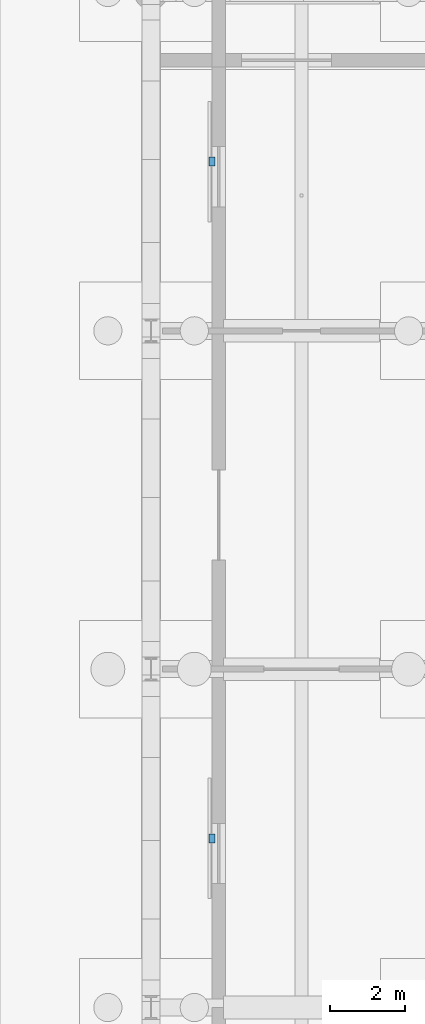
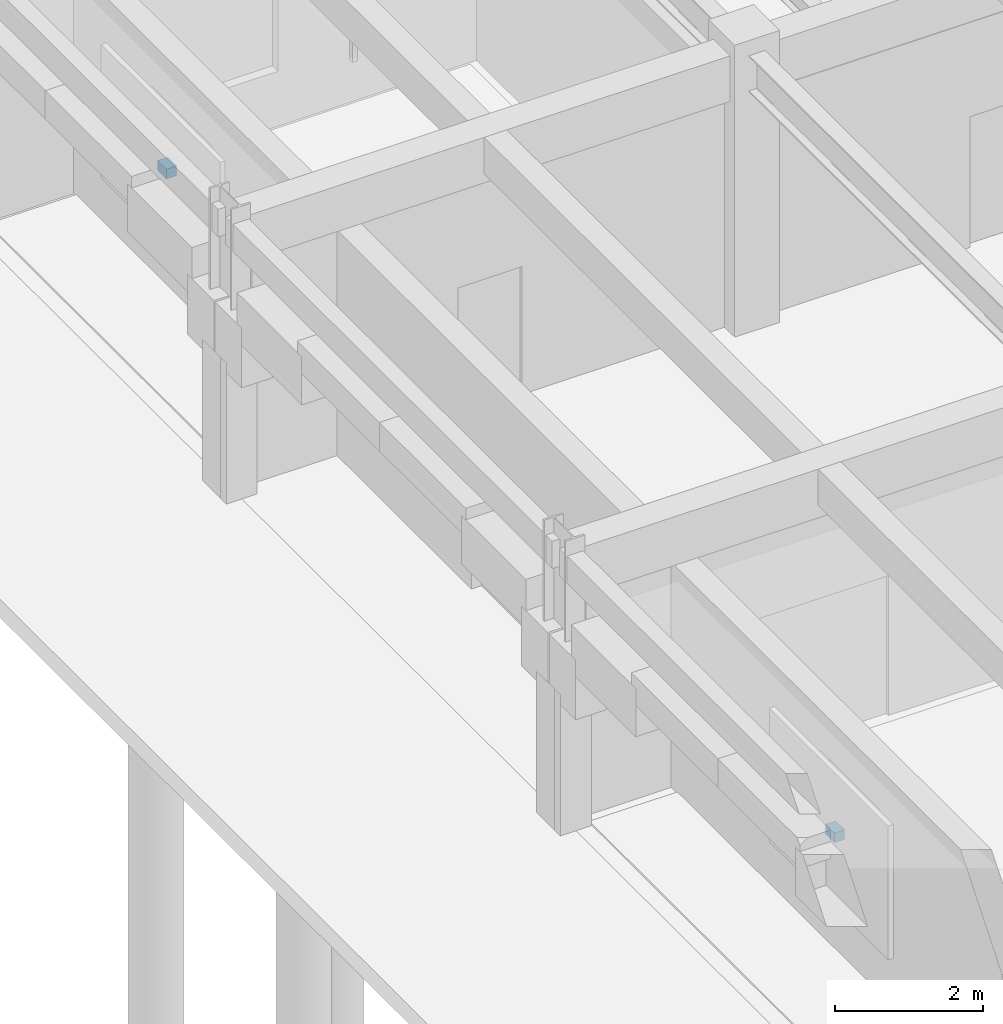
# One storey, part 130 of 147: 2 discrete accessories.
"""IFC4 building model written with IfcOpenShell, lengths in metres."""

import ifcopenshell
import ifcopenshell.guid

model = None  # the IFC model being written
_history = None  # IfcOwnerHistory: only IFC2X3 demands one
_inside = {}  # id of a spatial element -> (the spatial element, [elements in it])
_under = {}  # id of a project, library or spatial element -> (it, [spatial elements below it])
_declared = {}  # id of a project -> (the project, [libraries it declares])
_typed = {}  # id of a type object -> (the type object, [elements of that type])
_made_of = {}  # id of a material, layer set ... -> (it, [elements and type objects made of it])


def new_model(schema):
    """Start an empty IFC model of exactly this schema.

    Asked for "IFC4X3", IfcOpenShell would pick the latest addendum, in which some entities
    have other attributes; the version numbers below select the first issue.
    IFC2X3 requires an IfcOwnerHistory on every rooted entity: one is made here for all.
    """
    global model, _history
    if schema == "IFC4X3":
        model = ifcopenshell.file(schema_version=(4, 3, 0, 0))
    else:
        model = ifcopenshell.file(schema=schema)
    _inside.clear()
    _under.clear()
    _declared.clear()
    _typed.clear()
    _made_of.clear()
    _history = None
    if model.schema == "IFC2X3":
        org = make("IfcOrganization", Name="unknown")
        user = make(
            "IfcPersonAndOrganization",
            ThePerson=make("IfcPerson", FamilyName="unknown"),
            TheOrganization=org,
        )
        app = make(
            "IfcApplication",
            ApplicationDeveloper=org,
            Version="unknown",
            ApplicationFullName="unknown",
            ApplicationIdentifier="unknown",
        )
        _history = make(
            "IfcOwnerHistory",
            OwningUser=user,
            OwningApplication=app,
            ChangeAction="ADDED",
            CreationDate=0,
        )
    return model


def make(cls, **values):
    """One entity of the class cls with the attributes given. An attribute that is None is left unset."""
    return model.create_entity(
        cls, **{name: value for name, value in values.items() if value is not None}
    )


def rooted(cls, **values):
    """An entity with a GlobalId (a new one), such as an element, a storey or a relation."""
    return make(cls, GlobalId=ifcopenshell.guid.new(), OwnerHistory=_history, **values)


def si_unit(unit_type, name, prefix=None):
    """IfcSIUnit, for example si_unit("LENGTHUNIT", "METRE", prefix="MILLI")."""
    return make("IfcSIUnit", UnitType=unit_type, Prefix=prefix, Name=name)


def assignment(units):
    """IfcUnitAssignment: the units of a project."""
    return None if units is None else make("IfcUnitAssignment", Units=units)


def point(xyz):
    """IfcCartesianPoint."""
    return None if xyz is None else make("IfcCartesianPoint", Coordinates=xyz)


def direction(xyz):
    """IfcDirection."""
    return None if xyz is None else make("IfcDirection", DirectionRatios=xyz)


def frame(location, z_axis=None, x_axis=None):
    """IfcAxis2Placement3D, a coordinate frame: its origin and axes. An axis left out is left unset."""
    return make(
        "IfcAxis2Placement3D",
        Location=point(location),
        Axis=direction(z_axis),
        RefDirection=direction(x_axis),
    )


def frame_2d(location, x_axis=None):
    """IfcAxis2Placement2D, a coordinate frame in the plane: its origin and x axis."""
    return make(
        "IfcAxis2Placement2D", Location=point(location), RefDirection=direction(x_axis)
    )


def origin():
    """The frame at (0, 0, 0) with its axes left unset."""
    return frame((0.0, 0.0, 0.0))


def origin_2d():
    """The frame at (0, 0) in the plane with its x axis left unset."""
    return frame_2d((0.0, 0.0))


def place(relative_to, where):
    """IfcLocalPlacement: puts the frame where relative to a parent placement (None: the world)."""
    return make(
        "IfcLocalPlacement", PlacementRelTo=relative_to, RelativePlacement=where
    )


def context(
    kind, dimensions, precision=None, world=None, true_north=None, identifier=None
):
    """IfcGeometricRepresentationContext, for example the 3D "Model" context."""
    return make(
        "IfcGeometricRepresentationContext",
        ContextIdentifier=identifier,
        ContextType=kind,
        CoordinateSpaceDimension=dimensions,
        Precision=precision,
        WorldCoordinateSystem=world,
        TrueNorth=true_north,
    )


def subcontext(parent, identifier, kind, view, scale=None):
    """IfcGeometricRepresentationSubContext, for example "Body" below "Model"."""
    return make(
        "IfcGeometricRepresentationSubContext",
        ContextIdentifier=identifier,
        ContextType=kind,
        ParentContext=parent,
        TargetScale=scale,
        TargetView=view,
    )


def project(units=None, contexts=None):
    """IfcProject with its units and contexts."""
    return rooted(
        "IfcProject",
        Name="project",
        RepresentationContexts=contexts,
        UnitsInContext=assignment(units),
    )


def spatial(cls, under=None, at=None, **own):
    """A site, building, storey or space (cls), placed at a placement, below another one or the project."""
    s = rooted(cls, ObjectPlacement=at, **own)
    if under is not None:
        _under.setdefault(under.id(), (under, []))[1].append(s)
    return s


def profile(cls, at=None, kind="AREA", **sizes):
    """A parametric profile (cls). Its sizes go by their IFC names, for example OverallWidth=200.0."""
    return make(cls, ProfileType=kind, Position=at, **sizes)


def rectangle(**sizes):
    """IfcRectangleProfileDef."""
    return profile("IfcRectangleProfileDef", **sizes)


def extrude(swept, where, along, depth):
    """IfcExtrudedAreaSolid: the profile swept, set in the frame where, extruded along a direction by depth."""
    return make(
        "IfcExtrudedAreaSolid",
        SweptArea=swept,
        Position=where,
        ExtrudedDirection=direction(along),
        Depth=depth,
    )


def shape(context_of_items, identifier, shape_type, items):
    """IfcShapeRepresentation: the items that make up one representation, for example the "Body"."""
    return make(
        "IfcShapeRepresentation",
        ContextOfItems=context_of_items,
        RepresentationIdentifier=identifier,
        RepresentationType=shape_type,
        Items=items,
    )


def material(Name=None, Category=None):
    """IfcMaterial."""
    return make("IfcMaterial", Name=Name, Category=Category)


def layer(
    of_material, thickness, ventilated=None, Name=None, Category=None, Priority=None
):
    """IfcMaterialLayer: one layer of a wall or slab, of a material (None: an air gap)."""
    return make(
        "IfcMaterialLayer",
        Material=of_material,
        LayerThickness=thickness,
        IsVentilated=ventilated,
        Name=Name,
        Category=Category,
        Priority=Priority,
    )


def layer_set(layers, Name=None):
    """IfcMaterialLayerSet."""
    return make("IfcMaterialLayerSet", MaterialLayers=layers, LayerSetName=Name)


def made_of(thing, what):
    """Note that an element or type object is made of a material, layer set ...; save() writes the relation."""
    if what is not None:
        _made_of.setdefault(what.id(), (what, []))[1].append(thing)
    return thing


def type_object(cls, material=None, **own):
    """A type object (cls), such as IfcWallType, which elements share."""
    return made_of(rooted(cls, **own), material)


def element(
    cls,
    number,
    at=None,
    inside=None,
    cuts=None,
    type_object=None,
    material=None,
    context=None,
    identifier="Body",
    shape_type=None,
    held_by="IfcProductDefinitionShape",
    body=None,
    shapes=None,
    **own,
):
    """One element of the class cls, such as IfcWall. Its Tag is "e" and its number.

    at: its placement. inside: the storey or other place that contains it. cuts: it is an
    opening in that element (IfcRelVoidsElement). A single representation is given by context,
    identifier, shape_type and body (its items); several are given by shapes. held_by: the class
    of the entity that holds the representations. save() writes the other relations.
    """
    e = rooted(cls, Tag="e%d" % number, ObjectPlacement=at, **own)
    if body is not None:
        shapes = [shape(context, identifier, shape_type, body)]
    if shapes is not None:
        e.Representation = make(held_by, Representations=shapes)
    if inside is not None:
        _inside.setdefault(inside.id(), (inside, []))[1].append(e)
    if cuts is not None:
        rooted(
            "IfcRelVoidsElement", RelatingBuildingElement=cuts, RelatedOpeningElement=e
        )
    if type_object is not None:
        _typed.setdefault(type_object.id(), (type_object, []))[1].append(e)
    return made_of(e, material)


def aggregate(whole, parts):
    """IfcRelAggregates: a whole, such as a stair, and the parts it consists of."""
    return rooted("IfcRelAggregates", RelatingObject=whole, RelatedObjects=parts)


def save(model, path):
    """Write the relations noted so far, then the file.

    IfcRelAggregates (storeys below a building ...), IfcRelContainedInSpatialStructure (elements
    in a storey), IfcRelDefinesByType, IfcRelAssociatesMaterial and IfcRelDeclares: one each for
    every whole, place, type object, material and project.
    """
    for whole, parts in _under.values():
        aggregate(whole, parts)
    for where, things in _inside.values():
        rooted(
            "IfcRelContainedInSpatialStructure",
            RelatedElements=things,
            RelatingStructure=where,
        )
    for kind, things in _typed.values():
        rooted("IfcRelDefinesByType", RelatedObjects=things, RelatingType=kind)
    for what, things in _made_of.values():
        rooted("IfcRelAssociatesMaterial", RelatedObjects=things, RelatingMaterial=what)
    for by, libraries in _declared.values():
        rooted("IfcRelDeclares", RelatingContext=by, RelatedDefinitions=libraries)
    model.write(path)


model = new_model("IFC4")

# Units and contexts
model_context = context("Model", 3, precision=1e-05, world=origin(), true_north=direction((0.0, 1.0)))
body_context = subcontext(model_context, "Body", "Model", "MODEL_VIEW")
ifc_project = project(units=[si_unit("LENGTHUNIT", "METRE"), si_unit("AREAUNIT", "SQUARE_METRE"), si_unit("VOLUMEUNIT", "CUBIC_METRE"), si_unit("PLANEANGLEUNIT", "RADIAN"), si_unit("MASSUNIT", "GRAM", prefix="KILO")], contexts=[model_context])

# Site, building, storey
site_placement = place(None, origin())
site = spatial("IfcSite", under=ifc_project, at=site_placement, CompositionType="ELEMENT")
building_placement = place(site_placement, origin())
building = spatial("IfcBuilding", under=site, at=building_placement, Name="Varnabhumi Central Station", CompositionType="ELEMENT")
storey_placement = place(building_placement, origin())
storey = spatial("IfcBuildingStorey", under=building, at=storey_placement, Name="L00", CompositionType="ELEMENT", Elevation=0.0)

# Discrete accessories
ifc_material = material(Name="Structural steel E350", Category="steel")
ifc_layer = layer(ifc_material, 0.159912109375, Name="Structural steel E350", Category="steel")
ifc_layer_set = layer_set([ifc_layer], Name="Structural steel E350")
discrete_accessory_type = type_object("IfcDiscreteAccessoryType", Name="ACC-SHADE-BRKT", PredefinedType="BRACKET", material=ifc_layer_set)
for number, where, z_axis, x_axis, name in (
    (1, (1.6201171875, 93.5, 1.8701171875), (0.0, 0.0, 1.0), (1.0, 0.0, 0.0), "Celosia Bracket N-L00-E2"),
    (2, (1.6201171875, 111.5, 1.8701171875), (0.0, 0.0, 1.0), (1.0, 0.0, 0.0), "Celosia Bracket N-L00-E4"),
):
    element("IfcDiscreteAccessory", number, at=place(storey_placement, frame(where, z_axis=z_axis, x_axis=x_axis)), inside=storey, type_object=discrete_accessory_type, Name=name, PredefinedType="BRACKET", context=body_context, shape_type="SweptSolid", body=[
        extrude(rectangle(XDim=0.159912109375, YDim=0.239990234375, at=origin_2d()), origin(), (0.0, 0.0, 1.0), 0.159912109375),
    ])

save(model, "model.ifc")
